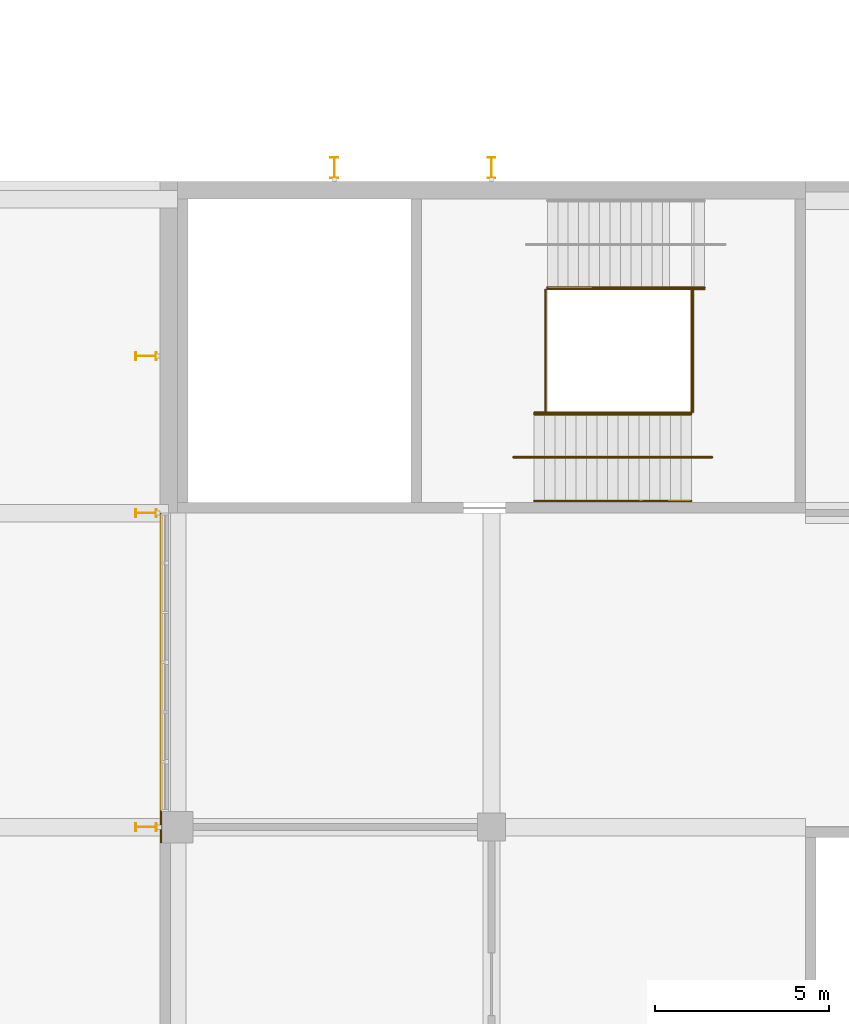
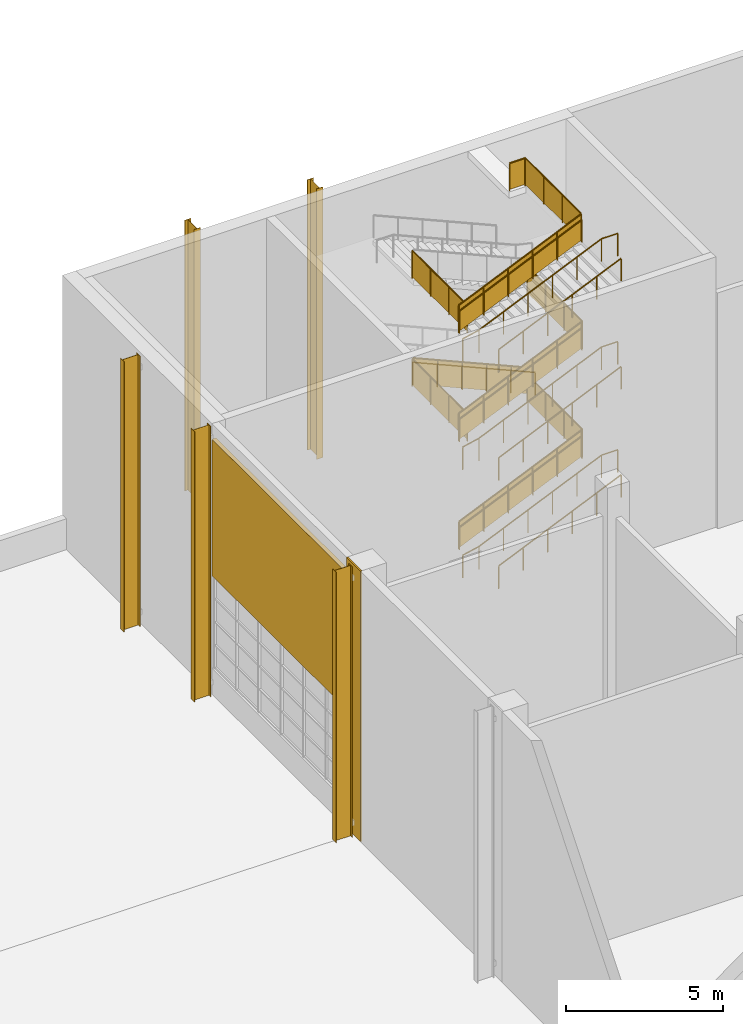
# One storey, part 169 of 182: 19 railings, 5 shading devices, 2 coverings.
"""IFC4 building model written with IfcOpenShell, lengths in metres."""

from ifc_helpers import new_model, si_unit, direction, frame, origin, origin_2d, place, context, subcontext, project, spatial, polyline, circle, i_section, outline, extrude, material, layer, layer_set, material_profile, profile_set, type_object, element, save


model = new_model("IFC4")

# Units and contexts
model_context = context("Model", 3, precision=1e-05, world=origin(), true_north=direction((0.0, 1.0)))
body_context = subcontext(model_context, "Body", "Model", "MODEL_VIEW")
ifc_project = project(units=[si_unit("LENGTHUNIT", "METRE"), si_unit("AREAUNIT", "SQUARE_METRE"), si_unit("VOLUMEUNIT", "CUBIC_METRE"), si_unit("PLANEANGLEUNIT", "RADIAN"), si_unit("MASSUNIT", "GRAM", prefix="KILO")], contexts=[model_context])

# Site, building, storey
site_placement = place(None, origin())
site = spatial("IfcSite", under=ifc_project, at=site_placement, CompositionType="ELEMENT")
building_placement = place(site_placement, origin())
building = spatial("IfcBuilding", under=site, at=building_placement, Name="Silverbay Arena", CompositionType="ELEMENT")
storey_placement = place(building_placement, frame((0.0, 0.0, 11.5)))
storey = spatial("IfcBuildingStorey", under=building, at=storey_placement, Name="L02", CompositionType="ELEMENT", Elevation=11.5)

# Coverings
ifc_material_1 = material(Name="Aluminium composite cladding", Category="aluminium")
ifc_layer_1 = layer(ifc_material_1, 0.050048828125)
ifc_layer_set_1 = layer_set([ifc_layer_1], Name="Aluminium composite cladding")
covering_type_1 = type_object("IfcCoveringType", Name="Column cladding 50", PredefinedType="CLADDING", material=ifc_layer_set_1)
covering_1_placement = place(storey_placement, origin())
element("IfcCovering", 1, at=covering_1_placement, inside=storey, type_object=covering_type_1, Name="West column cladding L02 13", PredefinedType="CLADDING", context=body_context, shape_type="SweptSolid", body=[
    extrude(outline(polyline([(53.5, 125.550048828125), (53.550048828125, 125.550048828125), (53.550048828125, 126.449951171875), (53.5, 126.449951171875), (53.5, 125.550048828125)])), origin(), (0.0, 0.0, 1.0), 10.5),
])
ifc_material_2 = material(Name="Aluminium composite cladding", Category="aluminium")
ifc_layer_2 = layer(ifc_material_2, 0.14990234375)
ifc_layer_set_2 = layer_set([ifc_layer_2], Name="Aluminium composite cladding")
covering_type_2 = type_object("IfcCoveringType", Name="Facade cladding panel 150", PredefinedType="CLADDING", material=ifc_layer_set_2)
covering_2_placement = place(storey_placement, frame((0.0, 0.0, 4.60009765625)))
element("IfcCovering", 2, at=covering_2_placement, inside=storey, type_object=covering_type_2, Name="West facade cladding L02 bay 13", PredefinedType="CLADDING", context=body_context, shape_type="SweptSolid", body=[
    extrude(outline(polyline([(53.5, 126.449951171875), (53.64990234375, 126.449951171875), (53.64990234375, 135.0), (53.5, 135.0), (53.5, 126.449951171875)])), origin(), (0.0, 0.0, 1.0), 5.2998046875),
])

# Railings
ifc_material_3 = material(Name="Stainless steel", Category="steel")
railing_type_1 = type_object("IfcRailingType", Name="Stair guard 1100", PredefinedType="GUARDRAIL", material=ifc_material_3)
railing_1_placement = place(storey_placement, frame((64.225830078125, 137.875, 0.13134765625)))
element("IfcRailing", 3, at=railing_1_placement, inside=storey, type_object=railing_type_1, Name="Stair ST-N5 L02 to L03 flight 1 guard right", PredefinedType="GUARDRAIL", context=body_context, shape_type="SweptSolid", body=[
    extrude(circle(Radius=0.02392578125, at=origin_2d()), frame((0.0, 0.0, 1.076171875), z_axis=(0.916157334902, 0.0, 0.40081883402), x_axis=(0.0, 1.0, 0.0)), (0.0, 0.0, 1.0), 4.911865234375),
    extrude(outline(polyline([(-0.008056640625, 0.04638671875), (0.907958984375, 0.447265625), (0.907958984375, 1.4501953125), (-0.008056640625, 1.049560546875), (-0.008056640625, 0.04638671875)])), frame((0.0, 0.0029296875, 0.0), z_axis=(0.0, -1.0, 0.0), x_axis=(1.0, 0.0, 0.0)), (0.0, 0.0, 1.0), 0.006103515625),
    extrude(outline(polyline([(-0.008056640625, 0.440185546875), (0.907958984375, 0.841064453125), (0.907958984375, 1.843994140625), (-0.008056640625, 1.443359375), (-0.008056640625, 0.440185546875)])), frame((0.89990234375, 0.0029296875, 0.0), z_axis=(0.0, -1.0, 0.0), x_axis=(1.0, 0.0, 0.0)), (0.0, 0.0, 1.0), 0.006103515625),
    extrude(outline(polyline([(-0.008056640625, 0.833984375), (0.907958984375, 1.23486328125), (0.907958984375, 2.23779296875), (-0.008056640625, 1.8369140625), (-0.008056640625, 0.833984375)])), frame((1.800048828125, 0.0029296875, 0.0), z_axis=(0.0, -1.0, 0.0), x_axis=(1.0, 0.0, 0.0)), (0.0, 0.0, 1.0), 0.006103515625),
    extrude(outline(polyline([(-0.008056640625, 1.227783203125), (0.907958984375, 1.62841796875), (0.907958984375, 2.631591796875), (-0.008056640625, 2.230712890625), (-0.008056640625, 1.227783203125)])), frame((2.699951171875, 0.0029296875, 0.0), z_axis=(0.0, -1.0, 0.0), x_axis=(1.0, 0.0, 0.0)), (0.0, 0.0, 1.0), 0.006103515625),
    extrude(outline(polyline([(-0.008056640625, 1.62158203125), (0.907958984375, 2.022216796875), (0.907958984375, 3.025146484375), (-0.008056640625, 2.62451171875), (-0.008056640625, 1.62158203125)])), frame((3.60009765625, 0.0029296875, 0.0), z_axis=(0.0, -1.0, 0.0), x_axis=(1.0, 0.0, 0.0)), (0.0, 0.0, 1.0), 0.006103515625),
    extrude(circle(Radius=0.02099609375, at=origin_2d()), origin(), (0.0, 0.0, 1.0), 1.052001953125),
    extrude(circle(Radius=0.02099609375, at=origin_2d()), frame((0.89990234375, 0.0, 0.393798828125)), (0.0, 0.0, 1.0), 1.052001953125),
    extrude(circle(Radius=0.02099609375, at=origin_2d()), frame((1.800048828125, 0.0, 0.78759765625)), (0.0, 0.0, 1.0), 1.052001953125),
    extrude(circle(Radius=0.02099609375, at=origin_2d()), frame((2.699951171875, 0.0, 1.18115234375)), (0.0, 0.0, 1.0), 1.052001953125),
    extrude(circle(Radius=0.02099609375, at=origin_2d()), frame((3.60009765625, 0.0, 1.574951171875)), (0.0, 0.0, 1.0), 1.052001953125),
    extrude(circle(Radius=0.02099609375, at=origin_2d()), frame((4.5, 0.0, 1.96875)), (0.0, 0.0, 1.0), 1.052001953125),
])
railing_2_placement = place(storey_placement, frame((69.10009765625, 141.425048828125, 2.231201171875)))
element("IfcRailing", 4, at=railing_2_placement, inside=storey, type_object=railing_type_1, Name="Stair ST-N5 L02 to L03 flight 2 guard left", PredefinedType="GUARDRAIL", context=body_context, shape_type="SweptSolid", body=[
    extrude(circle(Radius=0.02392578125, at=origin_2d()), frame((0.0, 0.0, 1.076171875), z_axis=(-0.916157334902, 0.0, 0.40081883402), x_axis=(0.0, -1.0, 0.0)), (0.0, 0.0, 1.0), 4.911865234375),
    extrude(outline(polyline([(-0.008056640625, 0.04638671875), (0.907958984375, 0.447265625), (0.907958984375, 1.4501953125), (-0.008056640625, 1.049560546875), (-0.008056640625, 0.04638671875)])), frame((0.0, -0.0029296875, 0.0), z_axis=(0.0, 1.0, 0.0), x_axis=(-1.0, 0.0, 0.0)), (0.0, 0.0, 1.0), 0.006103515625),
    extrude(outline(polyline([(-0.008056640625, 0.440185546875), (0.907958984375, 0.841064453125), (0.907958984375, 1.843994140625), (-0.008056640625, 1.443359375), (-0.008056640625, 0.440185546875)])), frame((-0.89990234375, -0.0029296875, 0.0), z_axis=(0.0, 1.0, 0.0), x_axis=(-1.0, 0.0, 0.0)), (0.0, 0.0, 1.0), 0.006103515625),
    extrude(outline(polyline([(-0.008056640625, 0.833984375), (0.907958984375, 1.23486328125), (0.907958984375, 2.23779296875), (-0.008056640625, 1.8369140625), (-0.008056640625, 0.833984375)])), frame((-1.800048828125, -0.0029296875, 0.0), z_axis=(0.0, 1.0, 0.0), x_axis=(-1.0, 0.0, 0.0)), (0.0, 0.0, 1.0), 0.006103515625),
    extrude(outline(polyline([(-0.008056640625, 1.227783203125), (0.907958984375, 1.62841796875), (0.907958984375, 2.631591796875), (-0.008056640625, 2.230712890625), (-0.008056640625, 1.227783203125)])), frame((-2.699951171875, -0.0029296875, 0.0), z_axis=(0.0, 1.0, 0.0), x_axis=(-1.0, 0.0, 0.0)), (0.0, 0.0, 1.0), 0.006103515625),
    extrude(outline(polyline([(-0.008056640625, 1.62158203125), (0.907958984375, 2.022216796875), (0.907958984375, 3.025146484375), (-0.008056640625, 2.62451171875), (-0.008056640625, 1.62158203125)])), frame((-3.60009765625, -0.0029296875, 0.0), z_axis=(0.0, 1.0, 0.0), x_axis=(-1.0, 0.0, 0.0)), (0.0, 0.0, 1.0), 0.006103515625),
    extrude(circle(Radius=0.02099609375, at=origin_2d()), origin(), (0.0, 0.0, 1.0), 1.052001953125),
    extrude(circle(Radius=0.02099609375, at=origin_2d()), frame((-0.89990234375, 0.0, 0.393798828125)), (0.0, 0.0, 1.0), 1.052001953125),
    extrude(circle(Radius=0.02099609375, at=origin_2d()), frame((-1.800048828125, 0.0, 0.78759765625)), (0.0, 0.0, 1.0), 1.052001953125),
    extrude(circle(Radius=0.02099609375, at=origin_2d()), frame((-2.699951171875, 0.0, 1.18115234375)), (0.0, 0.0, 1.0), 1.052001953125),
    extrude(circle(Radius=0.02099609375, at=origin_2d()), frame((-3.60009765625, 0.0, 1.574951171875)), (0.0, 0.0, 1.0), 1.052001953125),
    extrude(circle(Radius=0.02099609375, at=origin_2d()), frame((-4.5, 0.0, 1.96875)), (0.0, 0.0, 1.0), 1.052001953125),
])
railing_3_placement = place(storey_placement, frame((64.225830078125, 137.875, 4.331298828125)))
element("IfcRailing", 5, at=railing_3_placement, inside=storey, type_object=railing_type_1, Name="Stair ST-N5 L02 to L03 flight 3 guard right", PredefinedType="GUARDRAIL", context=body_context, shape_type="SweptSolid", body=[
    extrude(circle(Radius=0.02392578125, at=origin_2d()), frame((0.0, 0.0, 1.076171875), z_axis=(0.916157334902, 0.0, 0.40081883402), x_axis=(0.0, 1.0, 0.0)), (0.0, 0.0, 1.0), 4.911865234375),
    extrude(outline(polyline([(-0.008056640625, 0.04638671875), (0.907958984375, 0.447265625), (0.907958984375, 1.4501953125), (-0.008056640625, 1.049560546875), (-0.008056640625, 0.04638671875)])), frame((0.0, 0.0029296875, 0.0), z_axis=(0.0, -1.0, 0.0), x_axis=(1.0, 0.0, 0.0)), (0.0, 0.0, 1.0), 0.006103515625),
    extrude(outline(polyline([(-0.008056640625, 0.440185546875), (0.907958984375, 0.841064453125), (0.907958984375, 1.843994140625), (-0.008056640625, 1.443359375), (-0.008056640625, 0.440185546875)])), frame((0.89990234375, 0.0029296875, 0.0), z_axis=(0.0, -1.0, 0.0), x_axis=(1.0, 0.0, 0.0)), (0.0, 0.0, 1.0), 0.006103515625),
    extrude(outline(polyline([(-0.008056640625, 0.833984375), (0.907958984375, 1.23486328125), (0.907958984375, 2.23779296875), (-0.008056640625, 1.8369140625), (-0.008056640625, 0.833984375)])), frame((1.800048828125, 0.0029296875, 0.0), z_axis=(0.0, -1.0, 0.0), x_axis=(1.0, 0.0, 0.0)), (0.0, 0.0, 1.0), 0.006103515625),
    extrude(outline(polyline([(-0.008056640625, 1.227783203125), (0.907958984375, 1.62841796875), (0.907958984375, 2.631591796875), (-0.008056640625, 2.230712890625), (-0.008056640625, 1.227783203125)])), frame((2.699951171875, 0.0029296875, 0.0), z_axis=(0.0, -1.0, 0.0), x_axis=(1.0, 0.0, 0.0)), (0.0, 0.0, 1.0), 0.006103515625),
    extrude(outline(polyline([(-0.008056640625, 1.62158203125), (0.907958984375, 2.022216796875), (0.907958984375, 3.025146484375), (-0.008056640625, 2.62451171875), (-0.008056640625, 1.62158203125)])), frame((3.60009765625, 0.0029296875, 0.0), z_axis=(0.0, -1.0, 0.0), x_axis=(1.0, 0.0, 0.0)), (0.0, 0.0, 1.0), 0.006103515625),
    extrude(circle(Radius=0.02099609375, at=origin_2d()), origin(), (0.0, 0.0, 1.0), 1.052001953125),
    extrude(circle(Radius=0.02099609375, at=origin_2d()), frame((0.89990234375, 0.0, 0.393798828125)), (0.0, 0.0, 1.0), 1.052001953125),
    extrude(circle(Radius=0.02099609375, at=origin_2d()), frame((1.800048828125, 0.0, 0.78759765625)), (0.0, 0.0, 1.0), 1.052001953125),
    extrude(circle(Radius=0.02099609375, at=origin_2d()), frame((2.699951171875, 0.0, 1.18115234375)), (0.0, 0.0, 1.0), 1.052001953125),
    extrude(circle(Radius=0.02099609375, at=origin_2d()), frame((3.60009765625, 0.0, 1.574951171875)), (0.0, 0.0, 1.0), 1.052001953125),
    extrude(circle(Radius=0.02099609375, at=origin_2d()), frame((4.5, 0.0, 1.96875)), (0.0, 0.0, 1.0), 1.052001953125),
])
railing_4_placement = place(storey_placement, frame((64.225830078125, 137.875, 8.53125)))
element("IfcRailing", 6, at=railing_4_placement, inside=storey, type_object=railing_type_1, Name="Stair ST-N5 L02 to L03 flight 5 guard right", PredefinedType="GUARDRAIL", context=body_context, shape_type="SweptSolid", body=[
    extrude(circle(Radius=0.02392578125, at=origin_2d()), frame((0.0, 0.0, 1.076171875), z_axis=(0.916157334902, 0.0, 0.40081883402), x_axis=(0.0, 1.0, 0.0)), (0.0, 0.0, 1.0), 4.911865234375),
    extrude(outline(polyline([(-0.008056640625, 0.04638671875), (0.907958984375, 0.447265625), (0.907958984375, 1.4501953125), (-0.008056640625, 1.049560546875), (-0.008056640625, 0.04638671875)])), frame((0.0, 0.0029296875, 0.0), z_axis=(0.0, -1.0, 0.0), x_axis=(1.0, 0.0, 0.0)), (0.0, 0.0, 1.0), 0.006103515625),
    extrude(outline(polyline([(-0.008056640625, 0.440185546875), (0.907958984375, 0.841064453125), (0.907958984375, 1.843994140625), (-0.008056640625, 1.443359375), (-0.008056640625, 0.440185546875)])), frame((0.89990234375, 0.0029296875, 0.0), z_axis=(0.0, -1.0, 0.0), x_axis=(1.0, 0.0, 0.0)), (0.0, 0.0, 1.0), 0.006103515625),
    extrude(outline(polyline([(-0.008056640625, 0.833984375), (0.907958984375, 1.23486328125), (0.907958984375, 2.23779296875), (-0.008056640625, 1.8369140625), (-0.008056640625, 0.833984375)])), frame((1.800048828125, 0.0029296875, 0.0), z_axis=(0.0, -1.0, 0.0), x_axis=(1.0, 0.0, 0.0)), (0.0, 0.0, 1.0), 0.006103515625),
    extrude(outline(polyline([(-0.008056640625, 1.227783203125), (0.907958984375, 1.62841796875), (0.907958984375, 2.631591796875), (-0.008056640625, 2.230712890625), (-0.008056640625, 1.227783203125)])), frame((2.699951171875, 0.0029296875, 0.0), z_axis=(0.0, -1.0, 0.0), x_axis=(1.0, 0.0, 0.0)), (0.0, 0.0, 1.0), 0.006103515625),
    extrude(outline(polyline([(-0.008056640625, 1.62158203125), (0.907958984375, 2.022216796875), (0.907958984375, 3.025146484375), (-0.008056640625, 2.62451171875), (-0.008056640625, 1.62158203125)])), frame((3.60009765625, 0.0029296875, 0.0), z_axis=(0.0, -1.0, 0.0), x_axis=(1.0, 0.0, 0.0)), (0.0, 0.0, 1.0), 0.006103515625),
    extrude(circle(Radius=0.02099609375, at=origin_2d()), origin(), (0.0, 0.0, 1.0), 1.052001953125),
    extrude(circle(Radius=0.02099609375, at=origin_2d()), frame((0.89990234375, 0.0, 0.393798828125)), (0.0, 0.0, 1.0), 1.052001953125),
    extrude(circle(Radius=0.02099609375, at=origin_2d()), frame((1.800048828125, 0.0, 0.78759765625)), (0.0, 0.0, 1.0), 1.052001953125),
    extrude(circle(Radius=0.02099609375, at=origin_2d()), frame((2.699951171875, 0.0, 1.18115234375)), (0.0, 0.0, 1.0), 1.052001953125),
    extrude(circle(Radius=0.02099609375, at=origin_2d()), frame((3.60009765625, 0.0, 1.574951171875)), (0.0, 0.0, 1.0), 1.052001953125),
    extrude(circle(Radius=0.02099609375, at=origin_2d()), frame((4.5, 0.0, 1.96875)), (0.0, 0.0, 1.0), 1.052001953125),
])
for number, where, name in (
    (7, (68.77587890625, 137.89990234375, 2.10009765625), "Stair ST-N5 L02 to L03 landing 1 guard"),
    (8, (64.550048828125, 137.89990234375, 4.199951171875), "Stair ST-N5 L02 to L03 landing 2 guard"),
    (9, (68.77587890625, 137.89990234375, 6.300048828125), "Stair ST-N5 L02 to L03 landing 3 guard"),
    (10, (64.550048828125, 137.89990234375, 8.39990234375), "Stair ST-N5 L02 to L03 landing 4 guard"),
):
    element("IfcRailing", number, at=place(storey_placement, frame(where)), inside=storey, type_object=railing_type_1, Name=name, PredefinedType="GUARDRAIL", context=body_context, shape_type="SweptSolid", body=[
        extrude(circle(Radius=0.02392578125, at=origin_2d()), frame((0.0, 0.0, 1.076171875), z_axis=(0.0, 1.0, 0.0), x_axis=(-1.0, 0.0, 0.0)), (0.0, 0.0, 1.0), 3.5),
        extrude(outline(polyline([(-0.008056640625, 0.050048828125), (1.174560546875, 0.050048828125), (1.174560546875, 1.052978515625), (-0.008056640625, 1.052978515625), (-0.008056640625, 0.050048828125)])), frame((-0.0029296875, 0.0, 0.0), z_axis=(1.0, 0.0, 0.0), x_axis=(0.0, 1.0, 0.0)), (0.0, 0.0, 1.0), 0.006103515625),
        extrude(outline(polyline([(-0.008056640625, 0.050048828125), (1.174560546875, 0.050048828125), (1.174560546875, 1.052978515625), (-0.008056640625, 1.052978515625), (-0.008056640625, 0.050048828125)])), frame((-0.0029296875, 1.166748046875, 0.0), z_axis=(1.0, 0.0, 0.0), x_axis=(0.0, 1.0, 0.0)), (0.0, 0.0, 1.0), 0.006103515625),
        extrude(outline(polyline([(-0.008056640625, 0.050048828125), (1.174560546875, 0.050048828125), (1.174560546875, 1.052978515625), (-0.008056640625, 1.052978515625), (-0.008056640625, 0.050048828125)])), frame((-0.0029296875, 2.333251953125, 0.0), z_axis=(1.0, 0.0, 0.0), x_axis=(0.0, 1.0, 0.0)), (0.0, 0.0, 1.0), 0.006103515625),
        extrude(circle(Radius=0.02099609375, at=origin_2d()), origin(), (0.0, 0.0, 1.0), 1.052001953125),
        extrude(circle(Radius=0.02099609375, at=origin_2d()), frame((0.0, 1.166748046875, 0.0)), (0.0, 0.0, 1.0), 1.052001953125),
        extrude(circle(Radius=0.02099609375, at=origin_2d()), frame((0.0, 2.333251953125, 0.0)), (0.0, 0.0, 1.0), 1.052001953125),
        extrude(circle(Radius=0.02099609375, at=origin_2d()), frame((0.0, 3.5, 0.0)), (0.0, 0.0, 1.0), 1.052001953125),
    ])
railing_5_placement = place(storey_placement, frame((68.14990234375, 141.449951171875, 10.5)))
element("IfcRailing", 11, at=railing_5_placement, inside=storey, type_object=railing_type_1, Name="Stair ST-N5 L02 to L03 landing 5 guard", PredefinedType="GUARDRAIL", context=body_context, shape_type="SweptSolid", body=[
    extrude(circle(Radius=0.02392578125, at=origin_2d()), frame((0.0, 0.0, 1.076171875), z_axis=(1.0, 0.0, 0.0), x_axis=(0.0, 1.0, 0.0)), (0.0, 0.0, 1.0), 0.575927734375),
    extrude(outline(polyline([(-0.008056640625, 0.050048828125), (0.583984375, 0.050048828125), (0.583984375, 1.052978515625), (-0.008056640625, 1.052978515625), (-0.008056640625, 0.050048828125)])), frame((0.0, 0.0029296875, 0.0), z_axis=(0.0, -1.0, 0.0), x_axis=(1.0, 0.0, 0.0)), (0.0, 0.0, 1.0), 0.006103515625),
    extrude(circle(Radius=0.02392578125, at=origin_2d()), frame((0.575927734375, 0.0, 1.076171875), z_axis=(0.0, -1.0, 0.0), x_axis=(1.0, 0.0, 0.0)), (0.0, 0.0, 1.0), 3.550048828125),
    extrude(outline(polyline([(-0.008056640625, 0.050048828125), (1.19140625, 0.050048828125), (1.19140625, 1.052978515625), (-0.008056640625, 1.052978515625), (-0.008056640625, 0.050048828125)])), frame((0.578857421875, 0.0, 0.0), z_axis=(-1.0, 0.0, 0.0), x_axis=(0.0, -1.0, 0.0)), (0.0, 0.0, 1.0), 0.006103515625),
    extrude(outline(polyline([(-0.008056640625, 0.050048828125), (1.19140625, 0.050048828125), (1.19140625, 1.052978515625), (-0.008056640625, 1.052978515625), (-0.008056640625, 0.050048828125)])), frame((0.578857421875, -1.183349609375, 0.0), z_axis=(-1.0, 0.0, 0.0), x_axis=(0.0, -1.0, 0.0)), (0.0, 0.0, 1.0), 0.006103515625),
    extrude(outline(polyline([(-0.008056640625, 0.050048828125), (1.19140625, 0.050048828125), (1.19140625, 1.052978515625), (-0.008056640625, 1.052978515625), (-0.008056640625, 0.050048828125)])), frame((0.578857421875, -2.36669921875, 0.0), z_axis=(-1.0, 0.0, 0.0), x_axis=(0.0, -1.0, 0.0)), (0.0, 0.0, 1.0), 0.006103515625),
    extrude(circle(Radius=0.02099609375, at=origin_2d()), origin(), (0.0, 0.0, 1.0), 1.052001953125),
    extrude(circle(Radius=0.02099609375, at=origin_2d()), frame((0.575927734375, 0.0, 0.0)), (0.0, 0.0, 1.0), 1.052001953125),
    extrude(circle(Radius=0.02099609375, at=origin_2d()), frame((0.575927734375, -1.183349609375, 0.0)), (0.0, 0.0, 1.0), 1.052001953125),
    extrude(circle(Radius=0.02099609375, at=origin_2d()), frame((0.575927734375, -2.36669921875, 0.0)), (0.0, 0.0, 1.0), 1.052001953125),
    extrude(circle(Radius=0.02099609375, at=origin_2d()), frame((0.575927734375, -3.550048828125, 0.0)), (0.0, 0.0, 1.0), 1.052001953125),
])
ifc_material_4 = material(Name="Stainless steel", Category="steel")
railing_type_2 = type_object("IfcRailingType", Name="Stair handrail 900", PredefinedType="HANDRAIL", material=ifc_material_4)
for number, where, name in (
    (12, (64.225830078125, 135.35009765625, 0.13134765625), "Stair ST-N5 L02 to L03 flight 1 handrail left"),
    (13, (64.225830078125, 137.8359375, 0.13134765625), "Stair ST-N5 L02 to L03 flight 1 handrail right"),
):
    element("IfcRailing", number, at=place(storey_placement, frame(where)), inside=storey, type_object=railing_type_2, Name=name, PredefinedType="HANDRAIL", context=body_context, shape_type="SweptSolid", body=[
        extrude(circle(Radius=0.02392578125, at=origin_2d()), frame((0.0, 0.0, 0.8759765625), z_axis=(0.916157334902, 0.0, 0.40081883402), x_axis=(0.0, 1.0, 0.0)), (0.0, 0.0, 1.0), 4.911865234375),
        extrude(circle(Radius=0.02099609375, at=origin_2d()), origin(), (0.0, 0.0, 1.0), 0.851806640625),
        extrude(circle(Radius=0.02099609375, at=origin_2d()), frame((0.89990234375, 0.0, 0.393798828125)), (0.0, 0.0, 1.0), 0.851806640625),
        extrude(circle(Radius=0.02099609375, at=origin_2d()), frame((1.800048828125, 0.0, 0.78759765625)), (0.0, 0.0, 1.0), 0.851806640625),
        extrude(circle(Radius=0.02099609375, at=origin_2d()), frame((2.699951171875, 0.0, 1.18115234375)), (0.0, 0.0, 1.0), 0.851806640625),
        extrude(circle(Radius=0.02099609375, at=origin_2d()), frame((3.60009765625, 0.0, 1.574951171875)), (0.0, 0.0, 1.0), 0.851806640625),
        extrude(circle(Radius=0.02099609375, at=origin_2d()), frame((4.5, 0.0, 1.96875)), (0.0, 0.0, 1.0), 0.851806640625),
    ])
railing_6_placement = place(storey_placement, frame((63.625732421875, 136.60009765625, 0.0)))
element("IfcRailing", 14, at=railing_6_placement, inside=storey, type_object=railing_type_2, Name="Stair ST-N5 L02 to L03 flight 1 central handrail", PredefinedType="HANDRAIL", context=body_context, shape_type="SweptSolid", body=[
    extrude(circle(Radius=0.02392578125, at=origin_2d()), frame((0.0, 0.0, 0.8759765625), z_axis=(0.976874083041, 0.0, 0.213815401414), x_axis=(0.0, 1.0, 0.0)), (0.0, 0.0, 1.0), 0.6142578125),
    extrude(circle(Radius=0.02392578125, at=origin_2d()), frame((0.60009765625, 0.0, 1.00732421875), z_axis=(0.916157334902, 0.0, 0.40081883402), x_axis=(0.0, 1.0, 0.0)), (0.0, 0.0, 1.0), 4.911865234375),
    extrude(circle(Radius=0.02392578125, at=origin_2d()), frame((5.10009765625, 0.0, 2.97607421875), z_axis=(1.0, 0.0, 0.0), x_axis=(0.0, 1.0, 0.0)), (0.0, 0.0, 1.0), 0.599853515625),
    extrude(circle(Radius=0.02099609375, at=origin_2d()), origin(), (0.0, 0.0, 1.0), 0.851806640625),
    extrude(circle(Radius=0.02099609375, at=origin_2d()), frame((0.60009765625, 0.0, 0.13134765625)), (0.0, 0.0, 1.0), 0.851806640625),
    extrude(circle(Radius=0.02099609375, at=origin_2d()), frame((1.5, 0.0, 0.525146484375)), (0.0, 0.0, 1.0), 0.851806640625),
    extrude(circle(Radius=0.02099609375, at=origin_2d()), frame((2.400146484375, 0.0, 0.9189453125)), (0.0, 0.0, 1.0), 0.851806640625),
    extrude(circle(Radius=0.02099609375, at=origin_2d()), frame((3.300048828125, 0.0, 1.3125)), (0.0, 0.0, 1.0), 0.851806640625),
    extrude(circle(Radius=0.02099609375, at=origin_2d()), frame((4.2001953125, 0.0, 1.706298828125)), (0.0, 0.0, 1.0), 0.851806640625),
    extrude(circle(Radius=0.02099609375, at=origin_2d()), frame((5.10009765625, 0.0, 2.10009765625)), (0.0, 0.0, 1.0), 0.851806640625),
    extrude(circle(Radius=0.02099609375, at=origin_2d()), frame((5.699951171875, 0.0, 2.10009765625)), (0.0, 0.0, 1.0), 0.851806640625),
])
railing_7_placement = place(storey_placement, frame((69.10009765625, 141.464111328125, 2.231201171875)))
element("IfcRailing", 15, at=railing_7_placement, inside=storey, type_object=railing_type_2, Name="Stair ST-N5 L02 to L03 flight 2 handrail left", PredefinedType="HANDRAIL", context=body_context, shape_type="SweptSolid", body=[
    extrude(circle(Radius=0.02392578125, at=origin_2d()), frame((0.0, 0.0, 0.8759765625), z_axis=(-0.916157334902, 0.0, 0.40081883402), x_axis=(0.0, -1.0, 0.0)), (0.0, 0.0, 1.0), 4.911865234375),
    extrude(circle(Radius=0.02099609375, at=origin_2d()), origin(), (0.0, 0.0, 1.0), 0.851806640625),
    extrude(circle(Radius=0.02099609375, at=origin_2d()), frame((-0.89990234375, 0.0, 0.393798828125)), (0.0, 0.0, 1.0), 0.851806640625),
    extrude(circle(Radius=0.02099609375, at=origin_2d()), frame((-1.800048828125, 0.0, 0.78759765625)), (0.0, 0.0, 1.0), 0.851806640625),
    extrude(circle(Radius=0.02099609375, at=origin_2d()), frame((-2.699951171875, 0.0, 1.18115234375)), (0.0, 0.0, 1.0), 0.851806640625),
    extrude(circle(Radius=0.02099609375, at=origin_2d()), frame((-3.60009765625, 0.0, 1.574951171875)), (0.0, 0.0, 1.0), 0.851806640625),
    extrude(circle(Radius=0.02099609375, at=origin_2d()), frame((-4.5, 0.0, 1.96875)), (0.0, 0.0, 1.0), 0.851806640625),
])
for number, where, name in (
    (16, (64.225830078125, 135.35009765625, 4.331298828125), "Stair ST-N5 L02 to L03 flight 3 handrail left"),
    (17, (64.225830078125, 137.8359375, 4.331298828125), "Stair ST-N5 L02 to L03 flight 3 handrail right"),
):
    element("IfcRailing", number, at=place(storey_placement, frame(where)), inside=storey, type_object=railing_type_2, Name=name, PredefinedType="HANDRAIL", context=body_context, shape_type="SweptSolid", body=[
        extrude(circle(Radius=0.02392578125, at=origin_2d()), frame((0.0, 0.0, 0.8759765625), z_axis=(0.916157334902, 0.0, 0.40081883402), x_axis=(0.0, 1.0, 0.0)), (0.0, 0.0, 1.0), 4.911865234375),
        extrude(circle(Radius=0.02099609375, at=origin_2d()), origin(), (0.0, 0.0, 1.0), 0.851806640625),
        extrude(circle(Radius=0.02099609375, at=origin_2d()), frame((0.89990234375, 0.0, 0.393798828125)), (0.0, 0.0, 1.0), 0.851806640625),
        extrude(circle(Radius=0.02099609375, at=origin_2d()), frame((1.800048828125, 0.0, 0.78759765625)), (0.0, 0.0, 1.0), 0.851806640625),
        extrude(circle(Radius=0.02099609375, at=origin_2d()), frame((2.699951171875, 0.0, 1.18115234375)), (0.0, 0.0, 1.0), 0.851806640625),
        extrude(circle(Radius=0.02099609375, at=origin_2d()), frame((3.60009765625, 0.0, 1.574951171875)), (0.0, 0.0, 1.0), 0.851806640625),
        extrude(circle(Radius=0.02099609375, at=origin_2d()), frame((4.5, 0.0, 1.96875)), (0.0, 0.0, 1.0), 0.851806640625),
    ])
railing_8_placement = place(storey_placement, frame((63.625732421875, 136.60009765625, 4.199951171875)))
element("IfcRailing", 18, at=railing_8_placement, inside=storey, type_object=railing_type_2, Name="Stair ST-N5 L02 to L03 flight 3 central handrail", PredefinedType="HANDRAIL", context=body_context, shape_type="SweptSolid", body=[
    extrude(circle(Radius=0.02392578125, at=origin_2d()), frame((0.0, 0.0, 0.8759765625), z_axis=(0.976874083041, 0.0, 0.213815401414), x_axis=(0.0, 1.0, 0.0)), (0.0, 0.0, 1.0), 0.6142578125),
    extrude(circle(Radius=0.02392578125, at=origin_2d()), frame((0.60009765625, 0.0, 1.00732421875), z_axis=(0.916157334902, 0.0, 0.40081883402), x_axis=(0.0, 1.0, 0.0)), (0.0, 0.0, 1.0), 4.911865234375),
    extrude(circle(Radius=0.02392578125, at=origin_2d()), frame((5.10009765625, 0.0, 2.97607421875), z_axis=(1.0, 0.0, 0.0), x_axis=(0.0, 1.0, 0.0)), (0.0, 0.0, 1.0), 0.599853515625),
    extrude(circle(Radius=0.02099609375, at=origin_2d()), origin(), (0.0, 0.0, 1.0), 0.851806640625),
    extrude(circle(Radius=0.02099609375, at=origin_2d()), frame((0.60009765625, 0.0, 0.13134765625)), (0.0, 0.0, 1.0), 0.851806640625),
    extrude(circle(Radius=0.02099609375, at=origin_2d()), frame((1.5, 0.0, 0.525146484375)), (0.0, 0.0, 1.0), 0.851806640625),
    extrude(circle(Radius=0.02099609375, at=origin_2d()), frame((2.400146484375, 0.0, 0.9189453125)), (0.0, 0.0, 1.0), 0.851806640625),
    extrude(circle(Radius=0.02099609375, at=origin_2d()), frame((3.300048828125, 0.0, 1.3125)), (0.0, 0.0, 1.0), 0.851806640625),
    extrude(circle(Radius=0.02099609375, at=origin_2d()), frame((4.2001953125, 0.0, 1.706298828125)), (0.0, 0.0, 1.0), 0.851806640625),
    extrude(circle(Radius=0.02099609375, at=origin_2d()), frame((5.10009765625, 0.0, 2.10009765625)), (0.0, 0.0, 1.0), 0.851806640625),
    extrude(circle(Radius=0.02099609375, at=origin_2d()), frame((5.699951171875, 0.0, 2.10009765625)), (0.0, 0.0, 1.0), 0.851806640625),
])
for number, where, name in (
    (19, (64.225830078125, 135.35009765625, 8.53125), "Stair ST-N5 L02 to L03 flight 5 handrail left"),
    (20, (64.225830078125, 137.8359375, 8.53125), "Stair ST-N5 L02 to L03 flight 5 handrail right"),
):
    element("IfcRailing", number, at=place(storey_placement, frame(where)), inside=storey, type_object=railing_type_2, Name=name, PredefinedType="HANDRAIL", context=body_context, shape_type="SweptSolid", body=[
        extrude(circle(Radius=0.02392578125, at=origin_2d()), frame((0.0, 0.0, 0.8759765625), z_axis=(0.916157334902, 0.0, 0.40081883402), x_axis=(0.0, 1.0, 0.0)), (0.0, 0.0, 1.0), 4.911865234375),
        extrude(circle(Radius=0.02099609375, at=origin_2d()), origin(), (0.0, 0.0, 1.0), 0.851806640625),
        extrude(circle(Radius=0.02099609375, at=origin_2d()), frame((0.89990234375, 0.0, 0.393798828125)), (0.0, 0.0, 1.0), 0.851806640625),
        extrude(circle(Radius=0.02099609375, at=origin_2d()), frame((1.800048828125, 0.0, 0.78759765625)), (0.0, 0.0, 1.0), 0.851806640625),
        extrude(circle(Radius=0.02099609375, at=origin_2d()), frame((2.699951171875, 0.0, 1.18115234375)), (0.0, 0.0, 1.0), 0.851806640625),
        extrude(circle(Radius=0.02099609375, at=origin_2d()), frame((3.60009765625, 0.0, 1.574951171875)), (0.0, 0.0, 1.0), 0.851806640625),
        extrude(circle(Radius=0.02099609375, at=origin_2d()), frame((4.5, 0.0, 1.96875)), (0.0, 0.0, 1.0), 0.851806640625),
    ])
railing_9_placement = place(storey_placement, frame((63.625732421875, 136.60009765625, 8.39990234375)))
element("IfcRailing", 21, at=railing_9_placement, inside=storey, type_object=railing_type_2, Name="Stair ST-N5 L02 to L03 flight 5 central handrail", PredefinedType="HANDRAIL", context=body_context, shape_type="SweptSolid", body=[
    extrude(circle(Radius=0.02392578125, at=origin_2d()), frame((0.0, 0.0, 0.8759765625), z_axis=(0.976874083041, 0.0, 0.213815401414), x_axis=(0.0, 1.0, 0.0)), (0.0, 0.0, 1.0), 0.6142578125),
    extrude(circle(Radius=0.02392578125, at=origin_2d()), frame((0.60009765625, 0.0, 1.00732421875), z_axis=(0.916157334902, 0.0, 0.40081883402), x_axis=(0.0, 1.0, 0.0)), (0.0, 0.0, 1.0), 4.911865234375),
    extrude(circle(Radius=0.02392578125, at=origin_2d()), frame((5.10009765625, 0.0, 2.97607421875), z_axis=(1.0, 0.0, 0.0), x_axis=(0.0, 1.0, 0.0)), (0.0, 0.0, 1.0), 0.599853515625),
    extrude(circle(Radius=0.02099609375, at=origin_2d()), origin(), (0.0, 0.0, 1.0), 0.851806640625),
    extrude(circle(Radius=0.02099609375, at=origin_2d()), frame((0.60009765625, 0.0, 0.13134765625)), (0.0, 0.0, 1.0), 0.851806640625),
    extrude(circle(Radius=0.02099609375, at=origin_2d()), frame((1.5, 0.0, 0.525146484375)), (0.0, 0.0, 1.0), 0.851806640625),
    extrude(circle(Radius=0.02099609375, at=origin_2d()), frame((2.400146484375, 0.0, 0.9189453125)), (0.0, 0.0, 1.0), 0.851806640625),
    extrude(circle(Radius=0.02099609375, at=origin_2d()), frame((3.300048828125, 0.0, 1.3125)), (0.0, 0.0, 1.0), 0.851806640625),
    extrude(circle(Radius=0.02099609375, at=origin_2d()), frame((4.2001953125, 0.0, 1.706298828125)), (0.0, 0.0, 1.0), 0.851806640625),
    extrude(circle(Radius=0.02099609375, at=origin_2d()), frame((5.10009765625, 0.0, 2.10009765625)), (0.0, 0.0, 1.0), 0.851806640625),
    extrude(circle(Radius=0.02099609375, at=origin_2d()), frame((5.699951171875, 0.0, 2.10009765625)), (0.0, 0.0, 1.0), 0.851806640625),
])

# Shading devices
ifc_material_5 = material(Name="Steel S355", Category="steel")
ifc_material_profile = material_profile(ifc_material_5, i_section(OverallWidth=0.2275390625, OverallDepth=0.6025390625, WebThickness=0.010498046875, FlangeThickness=0.014892578125, at=origin_2d()), Name="UB 610x229x101")
ifc_profile_set = profile_set([ifc_material_profile], Name="Steel S355")
shading_device_type = type_object("IfcShadingDeviceType", Name="Steel fin UB 610x229x101", PredefinedType="USERDEFINED", material=ifc_profile_set)
for number, where, z_axis, x_axis, name in (
    (22, (58.5, 144.9013671875, 0.0), (0.0, 0.0, 1.0), (1.0, 0.0, 0.0), "Steel fin N L02 1"),
    (23, (63.0, 144.9013671875, 0.0), (0.0, 0.0, 1.0), (1.0, 0.0, 0.0), "Steel fin N L02 2"),
    (24, (53.0986328125, 126.0, 0.0), (0.0, 0.0, 1.0), (0.0, 1.0, 0.0), "Steel fin W L02 24"),
    (25, (53.0986328125, 135.0, 0.0), (0.0, 0.0, 1.0), (0.0, 1.0, 0.0), "Steel fin W L02 26"),
    (26, (53.0986328125, 139.5, 0.0), (0.0, 0.0, 1.0), (0.0, 1.0, 0.0), "Steel fin W L02 27"),
):
    element("IfcShadingDevice", number, at=place(storey_placement, frame(where, z_axis=z_axis, x_axis=x_axis)), inside=storey, type_object=shading_device_type, Name=name, ObjectType="FIN", PredefinedType="USERDEFINED", context=body_context, shape_type="SweptSolid", body=[
        extrude(i_section(OverallWidth=0.2275390625, OverallDepth=0.6025390625, WebThickness=0.010498046875, FlangeThickness=0.014892578125, at=origin_2d()), origin(), (0.0, 0.0, 1.0), 10.5),
    ])

save(model, "model.ifc")
